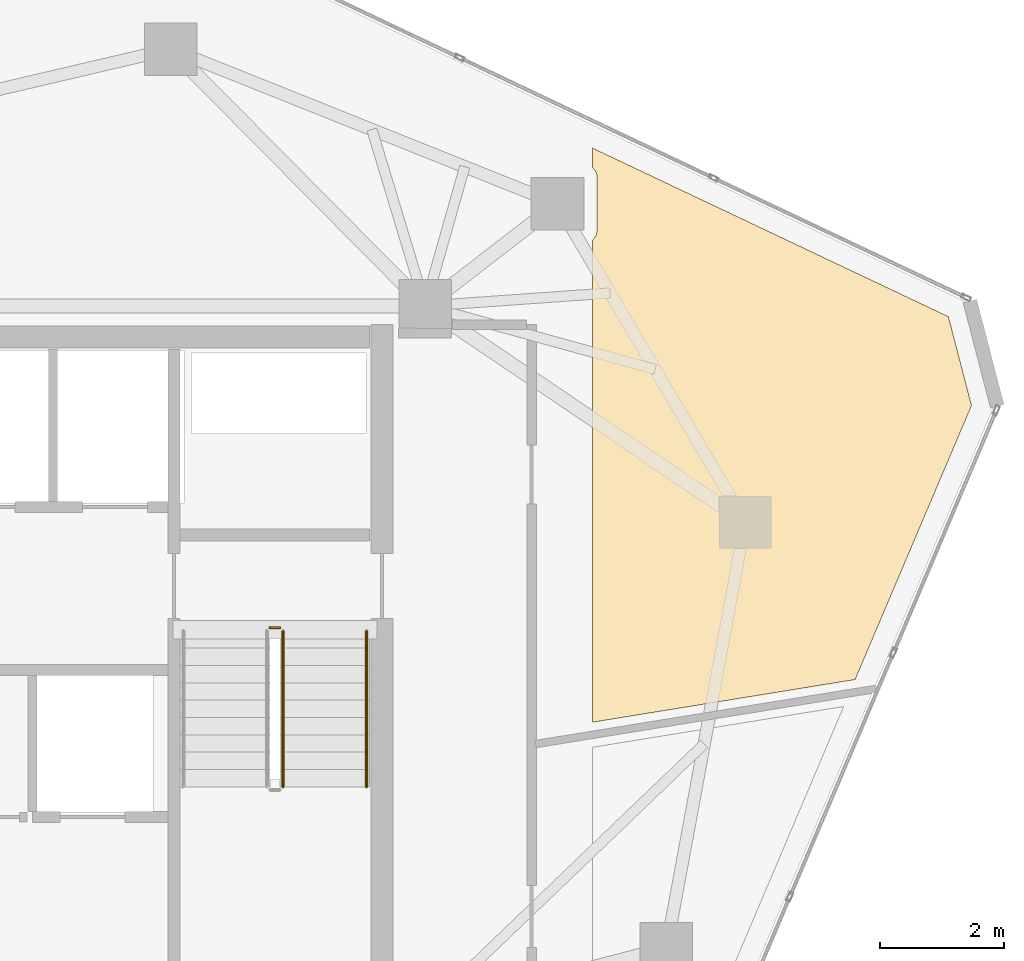
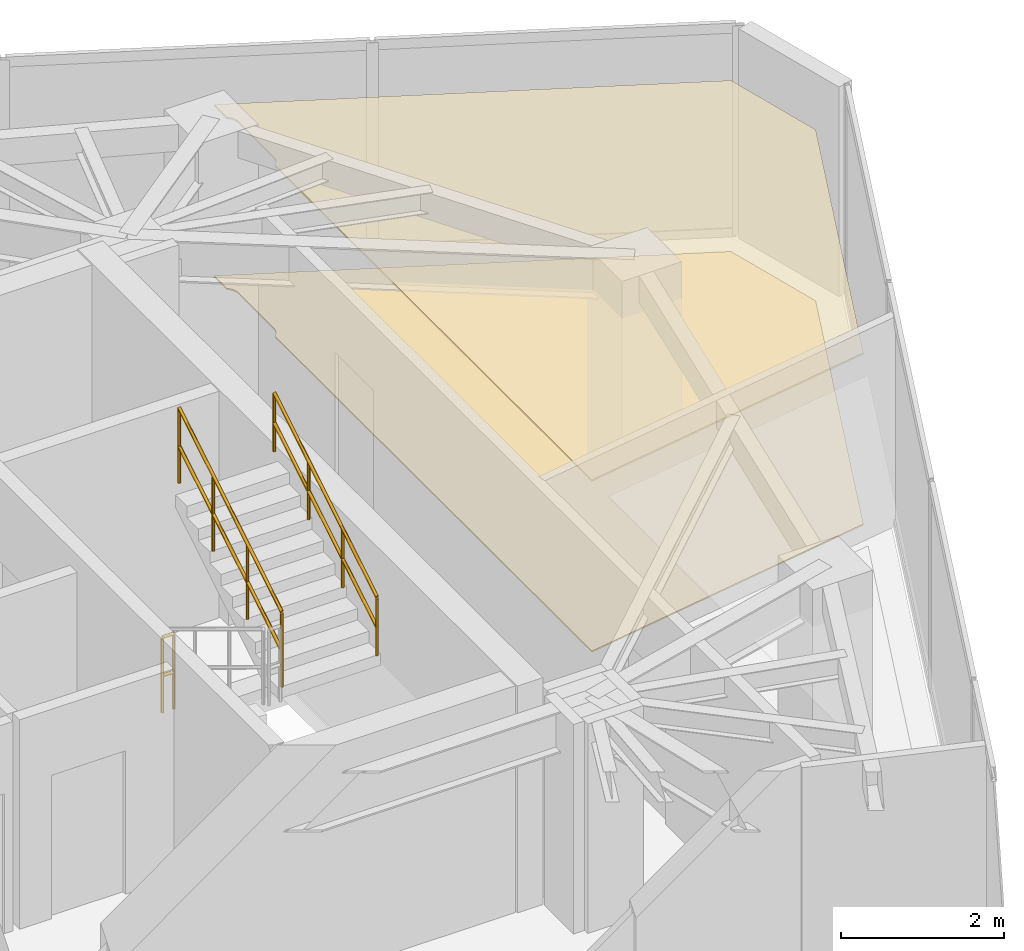
# One storey, part 20 of 20: 3 railings, 2 coverings.
"""IFC4 building model written with IfcOpenShell, lengths in metres."""

from ifc_helpers import new_model, si_unit, direction, frame, origin, origin_2d, place, context, subcontext, project, spatial, polyline, circle, outline, extrude, material, layer, layer_set, type_object, element, save


model = new_model("IFC4")

# Units and contexts
model_context = context("Model", 3, precision=1e-05, world=origin(), true_north=direction((0.0, 1.0)))
body_context = subcontext(model_context, "Body", "Model", "MODEL_VIEW")
ifc_project = project(units=[si_unit("LENGTHUNIT", "METRE"), si_unit("AREAUNIT", "SQUARE_METRE"), si_unit("VOLUMEUNIT", "CUBIC_METRE"), si_unit("PLANEANGLEUNIT", "RADIAN"), si_unit("MASSUNIT", "GRAM", prefix="KILO")], contexts=[model_context])

# Site, building, storey
site_placement = place(None, origin())
site = spatial("IfcSite", under=ifc_project, at=site_placement, CompositionType="ELEMENT")
building_placement = place(site_placement, origin())
building = spatial("IfcBuilding", under=site, at=building_placement, Name="Talar Marvaseh", CompositionType="ELEMENT")
storey_placement = place(building_placement, frame((0.0, 0.0, 274.800048828125)))
storey = spatial("IfcBuildingStorey", under=building, at=storey_placement, Name="L73", CompositionType="ELEMENT", Elevation=274.800048828125)

# Railings
ifc_material_1 = material(Name="Stainless Steel Grade 316", Category="steel")
railing_type_1 = type_object("IfcRailingType", Name="Brushed Stainless Wall Pitch Handrail 900", PredefinedType="HANDRAIL", material=ifc_material_1)
railing_1_placement = place(storey_placement, frame((32.35009765625, 29.1298828125, 1.869873046875)))
element("IfcRailing", 1, at=railing_1_placement, inside=storey, type_object=railing_type_1, Name="L73 ST-2 stair handrail 2", PredefinedType="HANDRAIL", context=body_context, shape_type="SweptSolid", body=[
    extrude(circle(Radius=0.02392578125, at=origin_2d()), frame((0.0, 0.0, 0.8759765625), z_axis=(0.0, 0.85478489116, 0.518982456201), x_axis=(-1.0, 0.0, 0.0)), (0.0, 0.0, 1.0), 2.9482421875),
    extrude(circle(Radius=0.02392578125, at=origin_2d()), frame((0.0, 0.0, 0.42578125), z_axis=(0.0, 0.85478489116, 0.518982456201), x_axis=(-1.0, 0.0, 0.0)), (0.0, 0.0, 1.0), 2.9482421875),
    extrude(circle(Radius=0.02099609375, at=origin_2d()), origin(), (0.0, 0.0, 1.0), 0.851806640625),
    extrude(circle(Radius=0.02099609375, at=origin_2d()), frame((0.0, 0.840087890625, 0.510009765625)), (0.0, 0.0, 1.0), 0.851806640625),
    extrude(circle(Radius=0.02099609375, at=origin_2d()), frame((0.0, 1.679931640625, 1.02001953125)), (0.0, 0.0, 1.0), 0.851806640625),
    extrude(circle(Radius=0.02099609375, at=origin_2d()), frame((0.0, 2.52001953125, 1.530029296875)), (0.0, 0.0, 1.0), 0.851806640625),
])
railing_type_2 = type_object("IfcRailingType", Name="Painted Steel Core Stair Well Guardrail 1150", PredefinedType="GUARDRAIL", material=ifc_material_1)
railing_2_placement = place(storey_placement, frame((31.0, 29.1298828125, 1.869873046875)))
element("IfcRailing", 2, at=railing_2_placement, inside=storey, type_object=railing_type_2, Name="L73 ST-2 stair guard 3", PredefinedType="GUARDRAIL", context=body_context, shape_type="SweptSolid", body=[
    extrude(circle(Radius=0.02392578125, at=origin_2d()), frame((0.0, 0.0, 1.1259765625), z_axis=(0.0, 0.85478489116, 0.518982456201), x_axis=(-1.0, 0.0, 0.0)), (0.0, 0.0, 1.0), 2.9482421875),
    extrude(circle(Radius=0.02392578125, at=origin_2d()), frame((0.0, 0.0, 0.55078125), z_axis=(0.0, 0.85478489116, 0.518982456201), x_axis=(-1.0, 0.0, 0.0)), (0.0, 0.0, 1.0), 2.9482421875),
    extrude(circle(Radius=0.02099609375, at=origin_2d()), origin(), (0.0, 0.0, 1.0), 1.101806640625),
    extrude(circle(Radius=0.02099609375, at=origin_2d()), frame((0.0, 0.840087890625, 0.510009765625)), (0.0, 0.0, 1.0), 1.101806640625),
    extrude(circle(Radius=0.02099609375, at=origin_2d()), frame((0.0, 1.679931640625, 1.02001953125)), (0.0, 0.0, 1.0), 1.101806640625),
    extrude(circle(Radius=0.02099609375, at=origin_2d()), frame((0.0, 2.52001953125, 1.530029296875)), (0.0, 0.0, 1.0), 1.101806640625),
])
railing_3_placement = place(storey_placement, frame((30.7900390625, 31.699951171875, 0.0)))
element("IfcRailing", 3, at=railing_3_placement, inside=storey, type_object=railing_type_2, Name="L73 ST-2 stair guard 4", PredefinedType="GUARDRAIL", context=body_context, shape_type="SweptSolid", body=[
    extrude(circle(Radius=0.02392578125, at=origin_2d()), frame((0.0, 0.0, 1.1259765625), z_axis=(1.0, 0.0, 0.0), x_axis=(0.0, 1.0, 0.0)), (0.0, 0.0, 1.0), 0.159912109375),
    extrude(circle(Radius=0.02392578125, at=origin_2d()), frame((0.0, 0.0, 0.55078125), z_axis=(1.0, 0.0, 0.0), x_axis=(0.0, 1.0, 0.0)), (0.0, 0.0, 1.0), 0.159912109375),
    extrude(circle(Radius=0.02099609375, at=origin_2d()), origin(), (0.0, 0.0, 1.0), 1.101806640625),
    extrude(circle(Radius=0.02099609375, at=origin_2d()), frame((0.159912109375, 0.0, 0.0)), (0.0, 0.0, 1.0), 1.101806640625),
])

# Coverings
ifc_material_2 = material(Name="Mineral Fibre Acoustic Ceiling")
ifc_layer_1 = layer(ifc_material_2, 0.02490234375)
ifc_layer_set_1 = layer_set([ifc_layer_1], Name="Mineral Fibre Acoustic Ceiling")
covering_type_1 = type_object("IfcCoveringType", Name="Perforated Mineral Fibre Acoustic Suspended Ceiling", PredefinedType="CEILING", material=ifc_layer_set_1)
covering_1_placement = place(storey_placement, frame((0.0, 0.0, 2.56005859375)))
element("IfcCovering", 4, at=covering_1_placement, inside=storey, type_object=covering_type_1, Name="L73 Scholars' Servery Pantry Acoustic Ceiling", PredefinedType="CEILING", context=body_context, shape_type="SweptSolid", body=[
    extrude(outline(polyline([(42.12841796875, 35.291748046875), (40.247802734375, 30.863037109375), (36.0, 30.1728515625), (36.0, 37.96044921875), (36.0, 37.96044921875), (36.0146484375, 37.9736328125), (36.02783203125, 37.988037109375), (36.03955078125, 38.00390625), (36.0498046875, 38.0205078125), (36.05810546875, 38.0380859375), (36.064697265625, 38.056640625), (36.069580078125, 38.075439453125), (36.072509765625, 38.094970703125), (36.073486328125, 38.114501953125), (36.077880859375, 38.9765625), (36.0771484375, 38.9951171875), (36.07470703125, 39.013671875), (36.0703125, 39.03173828125), (36.064453125, 39.049560546875), (36.056884765625, 39.066650390625), (36.0478515625, 39.0830078125), (36.037353515625, 39.09814453125), (36.025390625, 39.112548828125), (36.01220703125, 39.125732421875), (36.0, 39.13671875), (36.0, 39.45361328125), (41.755126953125, 36.7275390625), (42.12841796875, 35.291748046875)])), origin(), (0.0, 0.0, 1.0), 0.02490234375),
])
ifc_material_3 = material(Name="Porcelain Stoneware Tile", Category="masonry")
ifc_layer_2 = layer(ifc_material_3, 0.02001953125)
ifc_layer_set_2 = layer_set([ifc_layer_2], Name="Porcelain Stoneware Tile")
covering_type_2 = type_object("IfcCoveringType", Name="Polished Porcelain Stoneware Gallery Flooring", PredefinedType="FLOORING", material=ifc_layer_set_2)
covering_2_placement = place(storey_placement, origin())
element("IfcCovering", 5, at=covering_2_placement, inside=storey, type_object=covering_type_2, Name="L73 Scholars' Servery Pantry Flooring", PredefinedType="FLOORING", context=body_context, shape_type="SweptSolid", body=[
    extrude(outline(polyline([(42.12841796875, 35.291748046875), (40.247802734375, 30.863037109375), (36.0, 30.1728515625), (36.0, 37.96044921875), (36.0, 37.96044921875), (36.0146484375, 37.9736328125), (36.02783203125, 37.988037109375), (36.03955078125, 38.00390625), (36.0498046875, 38.0205078125), (36.05810546875, 38.0380859375), (36.064697265625, 38.056640625), (36.069580078125, 38.075439453125), (36.072509765625, 38.094970703125), (36.073486328125, 38.114501953125), (36.077880859375, 38.9765625), (36.0771484375, 38.9951171875), (36.07470703125, 39.013671875), (36.0703125, 39.03173828125), (36.064453125, 39.049560546875), (36.056884765625, 39.066650390625), (36.0478515625, 39.0830078125), (36.037353515625, 39.09814453125), (36.025390625, 39.112548828125), (36.01220703125, 39.125732421875), (36.0, 39.13671875), (36.0, 39.45361328125), (41.755126953125, 36.7275390625), (42.12841796875, 35.291748046875)])), origin(), (0.0, 0.0, 1.0), 0.02001953125),
])

save(model, "model.ifc")
